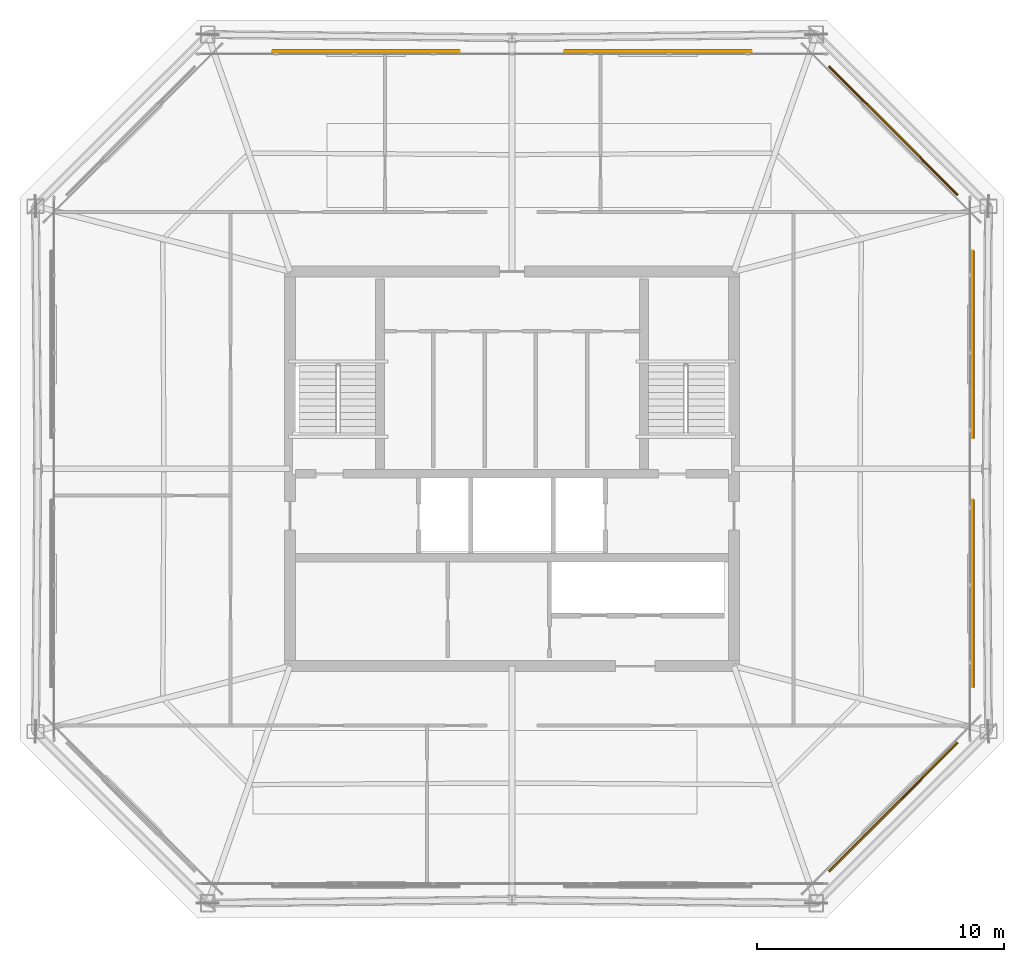
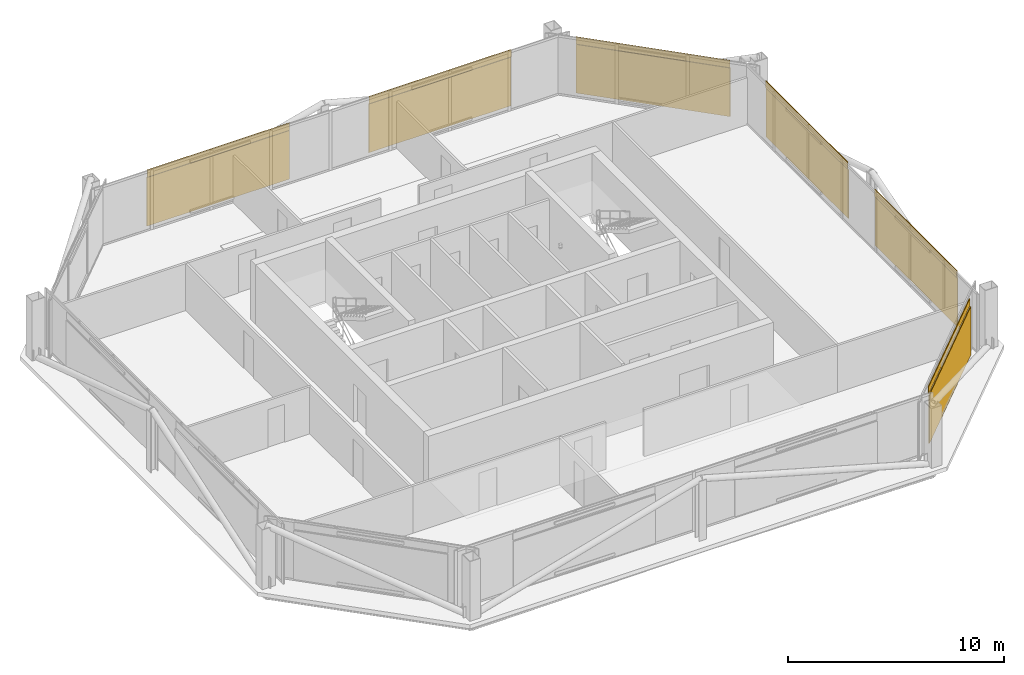
# One storey, part 26 of 26: 6 coverings, 6 shading devices.
"""IFC4 building model written with IfcOpenShell, lengths in metres."""

from ifc_helpers import new_model, si_unit, direction, frame, origin, origin_2d, place, context, subcontext, project, spatial, rectangle, extrude, material, layer, layer_set, type_object, element, save


model = new_model("IFC4")

# Units and contexts
model_context = context("Model", 3, precision=1e-05, world=origin(), true_north=direction((0.0, 1.0)))
body_context = subcontext(model_context, "Body", "Model", "MODEL_VIEW")
ifc_project = project(units=[si_unit("LENGTHUNIT", "METRE"), si_unit("AREAUNIT", "SQUARE_METRE"), si_unit("VOLUMEUNIT", "CUBIC_METRE"), si_unit("PLANEANGLEUNIT", "RADIAN"), si_unit("MASSUNIT", "GRAM", prefix="KILO")], contexts=[model_context])

# Site, building, storey
site_placement = place(None, origin())
site = spatial("IfcSite", under=ifc_project, at=site_placement, CompositionType="ELEMENT")
building_placement = place(site_placement, origin())
building = spatial("IfcBuilding", under=site, at=building_placement, Name="Caelvoria Tower", CompositionType="ELEMENT")
storey_placement = place(building_placement, frame((0.0, 0.0, 239.39990234375)))
storey = spatial("IfcBuildingStorey", under=building, at=storey_placement, Name="L63", CompositionType="ELEMENT", Elevation=239.39990234375)

# Coverings
ifc_material_1 = material(Name="Perforated Architectural Bronze Cladding Screen", Category="bronze")
ifc_layer_1 = layer(ifc_material_1, 0.0400390625, Name="Perforated Architectural Bronze Cladding Screen")
ifc_layer_set_1 = layer_set([ifc_layer_1], Name="Perforated Bronze Louvre Cladding Band 40 - Perforated Architectural Bronze Cladding Screen")
covering_type = type_object("IfcCoveringType", Name="Perforated Bronze Louvre Cladding Band 40", PredefinedType="CLADDING", material=ifc_layer_set_1)
covering_1_placement = place(storey_placement, frame((61.4462890625, 18.3037109375, 2.955078125), z_axis=(0.0, 0.0, 1.0), x_axis=(0.707106781187, 0.707106781187, 0.0)))
element("IfcCovering", 1, at=covering_1_placement, inside=storey, type_object=covering_type, Name="Perforated Bronze Screen Band L63-E1-00", PredefinedType="CLADDING", context=body_context, shape_type="SweptSolid", body=[
    extrude(rectangle(XDim=7.37646484375, YDim=0.0400390625, at=origin_2d()), origin(), (0.0, 0.0, 1.0), 0.39990234375),
])
for number, where, z_axis, x_axis, name in (
    (2, (64.672119140625, 26.949951171875, 2.955078125), (0.0, 0.0, 1.0), (0.0, 1.0, 0.0), "Perforated Bronze Screen Band L63-E2-00"),
    (3, (64.672119140625, 37.050048828125, 2.955078125), (0.0, 0.0, 1.0), (0.0, 1.0, 0.0), "Perforated Bronze Screen Band L63-E2-01"),
):
    element("IfcCovering", number, at=place(storey_placement, frame(where, z_axis=z_axis, x_axis=x_axis)), inside=storey, type_object=covering_type, Name=name, PredefinedType="CLADDING", context=body_context, shape_type="SweptSolid", body=[
        extrude(rectangle(XDim=7.60009765625, YDim=0.0400390625, at=origin_2d()), origin(), (0.0, 0.0, 1.0), 0.39990234375),
    ])
covering_2_placement = place(storey_placement, frame((61.4462890625, 45.6962890625, 2.955078125), z_axis=(0.0, 0.0, 1.0), x_axis=(-0.707106781187, 0.707106781187, 0.0)))
element("IfcCovering", 4, at=covering_2_placement, inside=storey, type_object=covering_type, Name="Perforated Bronze Screen Band L63-E3-00", PredefinedType="CLADDING", context=body_context, shape_type="SweptSolid", body=[
    extrude(rectangle(XDim=7.37646484375, YDim=0.0400390625, at=origin_2d()), origin(), (0.0, 0.0, 1.0), 0.39990234375),
])
for number, where, z_axis, x_axis, name in (
    (5, (51.925048828125, 48.922119140625, 2.955078125), (0.0, 0.0, 1.0), (-1.0, 0.0, 0.0), "Perforated Bronze Screen Band L63-E4-00"),
    (6, (40.074951171875, 48.922119140625, 2.955078125), (0.0, 0.0, 1.0), (-1.0, 0.0, 0.0), "Perforated Bronze Screen Band L63-E4-01"),
):
    element("IfcCovering", number, at=place(storey_placement, frame(where, z_axis=z_axis, x_axis=x_axis)), inside=storey, type_object=covering_type, Name=name, PredefinedType="CLADDING", context=body_context, shape_type="SweptSolid", body=[
        extrude(rectangle(XDim=7.60009765625, YDim=0.0400390625, at=origin_2d()), origin(), (0.0, 0.0, 1.0), 0.39990234375),
    ])

# Shading devices
ifc_material_2 = material(Name="Perforated Architectural Bronze Alloy Panel", Category="bronze")
ifc_layer_2 = layer(ifc_material_2, 0.044921875, Name="Perforated Architectural Bronze Alloy Panel")
ifc_layer_set_2 = layer_set([ifc_layer_2], Name="Perforated Bronze Solar Screen Panel SCREEN - Perforated Architectural Bronze Alloy Panel")
shading_device_type = type_object("IfcShadingDeviceType", Name="Perforated Bronze Solar Screen Panel SCREEN", PredefinedType="USERDEFINED", material=ifc_layer_set_2)
shading_device_1_placement = place(storey_placement, frame((61.476806640625, 18.273193359375, 0.16015625), z_axis=(0.0, 0.0, 1.0), x_axis=(0.707106781187, 0.707106781187, 0.0)))
element("IfcShadingDevice", 7, at=shading_device_1_placement, inside=storey, type_object=shading_device_type, Name="Perforated Bronze Solar Screen L63-E1-00", ObjectType="SCREEN", PredefinedType="USERDEFINED", context=body_context, shape_type="SweptSolid", body=[
    extrude(rectangle(XDim=7.37646484375, YDim=0.044921875, at=origin_2d()), origin(), (0.0, 0.0, 1.0), 2.75),
])
for number, where, z_axis, x_axis, name in (
    (8, (64.715087890625, 26.949951171875, 0.16015625), (0.0, 0.0, 1.0), (0.0, 1.0, 0.0), "Perforated Bronze Solar Screen L63-E2-00"),
    (9, (64.715087890625, 37.050048828125, 0.16015625), (0.0, 0.0, 1.0), (0.0, 1.0, 0.0), "Perforated Bronze Solar Screen L63-E2-01"),
):
    element("IfcShadingDevice", number, at=place(storey_placement, frame(where, z_axis=z_axis, x_axis=x_axis)), inside=storey, type_object=shading_device_type, Name=name, ObjectType="SCREEN", PredefinedType="USERDEFINED", context=body_context, shape_type="SweptSolid", body=[
        extrude(rectangle(XDim=7.60009765625, YDim=0.044921875, at=origin_2d()), origin(), (0.0, 0.0, 1.0), 2.75),
    ])
shading_device_2_placement = place(storey_placement, frame((61.476806640625, 45.726806640625, 0.16015625), z_axis=(0.0, 0.0, 1.0), x_axis=(-0.707106781187, 0.707106781187, 0.0)))
element("IfcShadingDevice", 10, at=shading_device_2_placement, inside=storey, type_object=shading_device_type, Name="Perforated Bronze Solar Screen L63-E3-00", ObjectType="SCREEN", PredefinedType="USERDEFINED", context=body_context, shape_type="SweptSolid", body=[
    extrude(rectangle(XDim=7.37646484375, YDim=0.044921875, at=origin_2d()), origin(), (0.0, 0.0, 1.0), 2.75),
])
for number, where, z_axis, x_axis, name in (
    (11, (51.925048828125, 48.965087890625, 0.16015625), (0.0, 0.0, 1.0), (-1.0, 0.0, 0.0), "Perforated Bronze Solar Screen L63-E4-00"),
    (12, (40.074951171875, 48.965087890625, 0.16015625), (0.0, 0.0, 1.0), (-1.0, 0.0, 0.0), "Perforated Bronze Solar Screen L63-E4-01"),
):
    element("IfcShadingDevice", number, at=place(storey_placement, frame(where, z_axis=z_axis, x_axis=x_axis)), inside=storey, type_object=shading_device_type, Name=name, ObjectType="SCREEN", PredefinedType="USERDEFINED", context=body_context, shape_type="SweptSolid", body=[
        extrude(rectangle(XDim=7.60009765625, YDim=0.044921875, at=origin_2d()), origin(), (0.0, 0.0, 1.0), 2.75),
    ])

save(model, "model.ifc")
